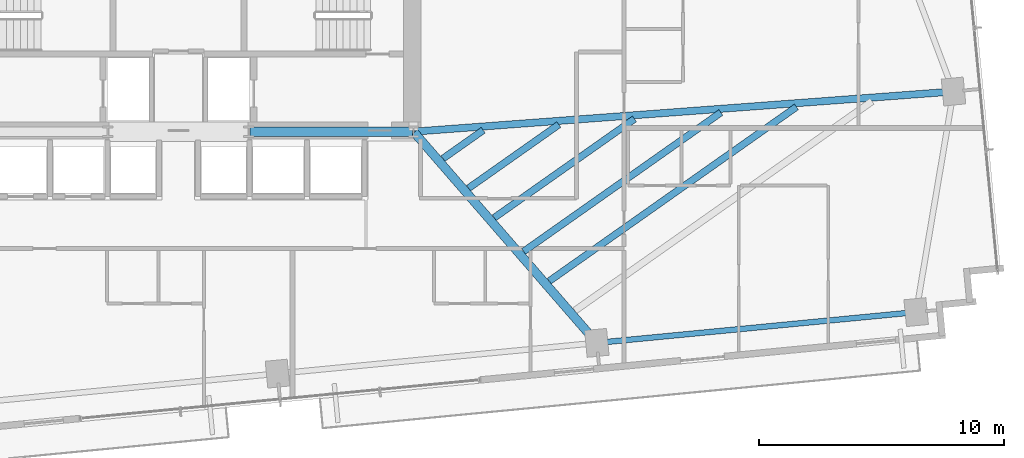
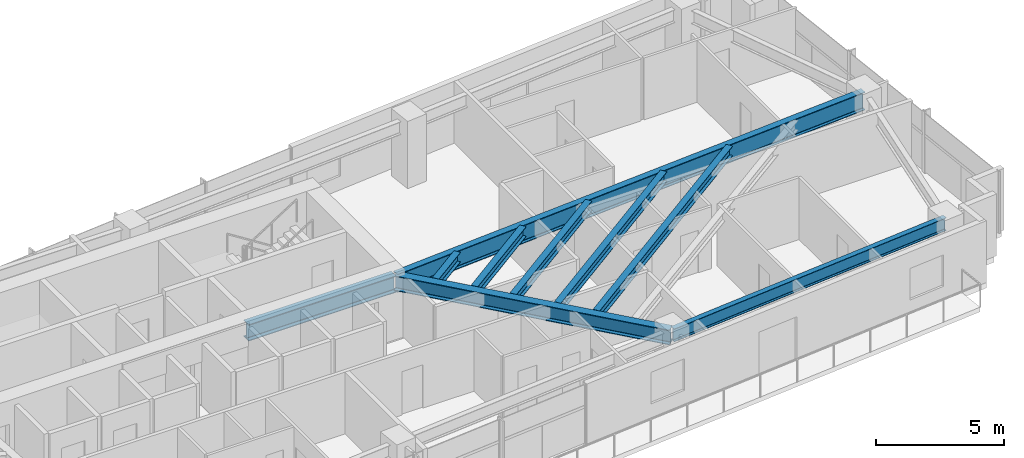
# One storey, part 13 of 27: 9 beams.
"""IFC4 building model written with IfcOpenShell, lengths in metres."""

from ifc_helpers import new_model, si_unit, direction, frame, origin, origin_2d, place, context, subcontext, project, spatial, i_section, extrude, source, transform, mapped, material, material_profile, profile_set, type_object, type_shapes, element, save


model = new_model("IFC4")

# Units and contexts
model_context = context("Model", 3, precision=1e-05, world=origin(), true_north=direction((0.0, 1.0)))
body_context = subcontext(model_context, "Body", "Model", "MODEL_VIEW")
ifc_project = project(units=[si_unit("LENGTHUNIT", "METRE"), si_unit("AREAUNIT", "SQUARE_METRE"), si_unit("VOLUMEUNIT", "CUBIC_METRE"), si_unit("PLANEANGLEUNIT", "RADIAN"), si_unit("MASSUNIT", "GRAM", prefix="KILO")], contexts=[model_context])

# Site, building, storey
site_placement = place(None, origin())
site = spatial("IfcSite", under=ifc_project, at=site_placement, CompositionType="ELEMENT")
building_placement = place(site_placement, origin())
building = spatial("IfcBuilding", under=site, at=building_placement, Name="Astriad Promenade Condominiums", CompositionType="ELEMENT")
storey_placement = place(building_placement, frame((0.0, 0.0, 93.800048828125)))
storey = spatial("IfcBuildingStorey", under=building, at=storey_placement, Name="L26", CompositionType="ELEMENT", Elevation=93.800048828125)

# Beams
ifc_material = material(Name="Steel ASTM A992 Grade 50", Category="steel")
ifc_material_profile_1 = material_profile(ifc_material, i_section(OverallWidth=0.3837890625, OverallDepth=0.785888671875, WebThickness=0.019775390625, FlangeThickness=0.033447265625, FilletRadius=0.021484375, at=origin_2d()), Name="W30X211")
ifc_profile_set_1 = profile_set([ifc_material_profile_1], Name="Steel ASTM A992 Grade 50")
beam_type_1 = type_object("IfcBeamType", Name="STEEL FLOOR GIRDER W30X211", PredefinedType="BEAM", material=ifc_profile_set_1)
shared_shape_1 = source(origin(), body_context, "Body", "SweptSolid", [
    extrude(i_section(OverallWidth=0.3837890625, OverallDepth=0.785888671875, WebThickness=0.019775390625, FlangeThickness=0.033447265625, FilletRadius=0.021484375, at=origin_2d()), origin(), (0.0, 0.0, 1.0), 6.64013671875),
])
type_shapes(beam_type_1, [shared_shape_1])
beam_1_placement = place(storey_placement, frame((38.919921875, 17.39990234375, 2.546875), z_axis=(1.0, 0.0, 0.0), x_axis=(0.0, 1.0, 0.0)))
element("IfcBeam", 1, at=beam_1_placement, inside=storey, type_object=beam_type_1, Name="Core Ring Beam CG-S3-L26", PredefinedType="BEAM", context=body_context, shape_type="MappedRepresentation", body=[
    mapped(shared_shape_1, transform((0.0, 0.0, 0.0), scale=1.0)),
])
ifc_material_profile_2 = material_profile(ifc_material, i_section(OverallWidth=0.22900390625, OverallDepth=0.612060546875, WebThickness=0.011962890625, FlangeThickness=0.01953125, FilletRadius=0.017822265625, at=origin_2d()), Name="W24X84")
ifc_profile_set_2 = profile_set([ifc_material_profile_2], Name="Steel ASTM A992 Grade 50")
beam_type_2 = type_object("IfcBeamType", Name="STEEL SPANDREL BEAM W24X84", PredefinedType="SPANDREL", material=ifc_profile_set_2)
shared_shape_2 = source(origin(), body_context, "Body", "SweptSolid", [
    extrude(i_section(OverallWidth=0.22900390625, OverallDepth=0.612060546875, WebThickness=0.011962890625, FlangeThickness=0.01953125, FilletRadius=0.017822265625, at=origin_2d()), origin(), (0.0, 0.0, 1.0), 13.020263671875),
])
type_shapes(beam_type_2, [shared_shape_2])
beam_2_placement = place(storey_placement, frame((53.124755859375, 8.780029296875, 2.6337890625), z_axis=(0.995395311238, 0.095854965264, 0.0), x_axis=(-0.095854965264, 0.995395311238, 0.0)))
element("IfcBeam", 2, at=beam_2_placement, inside=storey, type_object=beam_type_2, Name="Perimeter Spandrel Beam SP-S4-L26", PredefinedType="SPANDREL", context=body_context, shape_type="MappedRepresentation", body=[
    mapped(shared_shape_2, transform((0.0, 0.0, 0.0), scale=1.0)),
])
ifc_material_profile_3 = material_profile(ifc_material, i_section(OverallWidth=0.35791015625, OverallDepth=0.706298828125, WebThickness=0.018310546875, FlangeThickness=0.0302734375, FilletRadius=0.020263671875, at=origin_2d()), Name="W27X178")
ifc_profile_set_3 = profile_set([ifc_material_profile_3], Name="Steel ASTM A992 Grade 50")
beam_type_3 = type_object("IfcBeamType", Name="STEEL FLOOR GIRDER W27X178", PredefinedType="BEAM", material=ifc_profile_set_3)
shared_shape_3 = source(origin(), body_context, "Body", "SweptSolid", [
    extrude(i_section(OverallWidth=0.35791015625, OverallDepth=0.706298828125, WebThickness=0.018310546875, FlangeThickness=0.0302734375, FilletRadius=0.020263671875, at=origin_2d()), origin(), (0.0, 0.0, 1.0), 11.339111328125),
])
type_shapes(beam_type_3, [shared_shape_3])
beam_3_placement = place(storey_placement, frame((53.058837890625, 8.806396484375, 2.586669921875), z_axis=(-0.65548120109, 0.755211490258, 0.0), x_axis=(-0.755211490258, -0.65548120109, 0.0)))
element("IfcBeam", 3, at=beam_3_placement, inside=storey, type_object=beam_type_3, Name="Primary Floor Girder PG-E2-L26", PredefinedType="BEAM", context=body_context, shape_type="MappedRepresentation", body=[
    mapped(shared_shape_3, transform((0.0, 0.0, 0.0), scale=1.0)),
])
ifc_material_profile_4 = material_profile(ifc_material, i_section(OverallWidth=0.2919921875, OverallDepth=0.85888671875, WebThickness=0.01708984375, FlangeThickness=0.031005859375, FilletRadius=0.02294921875, at=origin_2d()), Name="W33X169")
ifc_profile_set_4 = profile_set([ifc_material_profile_4], Name="Steel ASTM A992 Grade 50")
beam_type_4 = type_object("IfcBeamType", Name="STEEL PRIMARY GIRDER W33X169", PredefinedType="BEAM", material=ifc_profile_set_4)
shared_shape_4 = source(origin(), body_context, "Body", "SweptSolid", [
    extrude(i_section(OverallWidth=0.2919921875, OverallDepth=0.85888671875, WebThickness=0.01708984375, FlangeThickness=0.031005859375, FilletRadius=0.02294921875, at=origin_2d()), origin(), (0.0, 0.0, 1.0), 22.029052734375),
])
type_shapes(beam_type_4, [shared_shape_4])
beam_4_placement = place(storey_placement, frame((67.6083984375, 19.036376953125, 2.510498046875), z_axis=(-0.99724763887, -0.074142745897, 0.0), x_axis=(0.074142745897, -0.99724763887, 0.0)))
element("IfcBeam", 4, at=beam_4_placement, inside=storey, type_object=beam_type_4, Name="Primary Floor Girder PG-EM-L26", PredefinedType="BEAM", context=body_context, shape_type="MappedRepresentation", body=[
    mapped(shared_shape_4, transform((0.0, 0.0, 0.0), scale=1.0)),
])
ifc_material_profile_5 = material_profile(ifc_material, i_section(OverallWidth=0.283203125, OverallDepth=0.47216796875, WebThickness=0.013671875, FlangeThickness=0.022216796875, FilletRadius=0.01513671875, at=origin_2d()), Name="W18X97")
ifc_profile_set_5 = profile_set([ifc_material_profile_5], Name="Steel ASTM A992 Grade 50")
beam_type_5 = type_object("IfcBeamType", Name="STEEL FLOOR JOIST W18X97", PredefinedType="JOIST", material=ifc_profile_set_5)
shared_shape_5 = source(origin(), body_context, "Body", "SweptSolid", [
    extrude(i_section(OverallWidth=0.283203125, OverallDepth=0.47216796875, WebThickness=0.013671875, FlangeThickness=0.022216796875, FilletRadius=0.01513671875, at=origin_2d()), origin(), (0.0, 0.0, 1.0), 12.34375),
])
beam_5_placement = place(storey_placement, frame((51.144287109375, 11.30029296875, 2.703857421875), z_axis=(0.817418723738, 0.576043948048, 0.0), x_axis=(-0.576043948048, 0.817418723738, 0.0)))
element("IfcBeam", 5, at=beam_5_placement, inside=storey, type_object=beam_type_5, Name="Secondary Composite Floor Joist JE1-2-L26", PredefinedType="JOIST", context=body_context, shape_type="MappedRepresentation", body=[
    mapped(shared_shape_5, transform((0.0, 0.0, 0.0), scale=1.0)),
])
shared_shape_6 = source(origin(), body_context, "Body", "SweptSolid", [
    extrude(i_section(OverallWidth=0.283203125, OverallDepth=0.47216796875, WebThickness=0.013671875, FlangeThickness=0.022216796875, FilletRadius=0.01513671875, at=origin_2d()), origin(), (0.0, 0.0, 1.0), 9.849609375),
])
beam_6_placement = place(storey_placement, frame((50.096435546875, 12.507568359375, 2.703857421875), z_axis=(0.817418240833, 0.5760446333, 0.0), x_axis=(-0.5760446333, 0.817418240833, 0.0)))
element("IfcBeam", 6, at=beam_6_placement, inside=storey, type_object=beam_type_5, Name="Secondary Composite Floor Joist JE1-3-L26", PredefinedType="JOIST", context=body_context, shape_type="MappedRepresentation", body=[
    mapped(shared_shape_6, transform((0.0, 0.0, 0.0), scale=1.0)),
])
shared_shape_7 = source(origin(), body_context, "Body", "SweptSolid", [
    extrude(i_section(OverallWidth=0.283203125, OverallDepth=0.47216796875, WebThickness=0.013671875, FlangeThickness=0.022216796875, FilletRadius=0.01513671875, at=origin_2d()), origin(), (0.0, 0.0, 1.0), 6.9990234375),
])
beam_7_placement = place(storey_placement, frame((48.898681640625, 13.88720703125, 2.703857421875), z_axis=(0.81742196028, 0.576039355298, 0.0), x_axis=(-0.576039355298, 0.81742196028, 0.0)))
element("IfcBeam", 7, at=beam_7_placement, inside=storey, type_object=beam_type_5, Name="Secondary Composite Floor Joist JE1-4-L26", PredefinedType="JOIST", context=body_context, shape_type="MappedRepresentation", body=[
    mapped(shared_shape_7, transform((0.0, 0.0, 0.0), scale=1.0)),
])
shared_shape_8 = source(origin(), body_context, "Body", "SweptSolid", [
    extrude(i_section(OverallWidth=0.283203125, OverallDepth=0.47216796875, WebThickness=0.013671875, FlangeThickness=0.022216796875, FilletRadius=0.01513671875, at=origin_2d()), origin(), (0.0, 0.0, 1.0), 4.504638671875),
])
beam_8_placement = place(storey_placement, frame((47.850830078125, 15.0947265625, 2.703857421875), z_axis=(0.817448215019, 0.576002097012, 0.0), x_axis=(-0.576002097012, 0.817448215019, 0.0)))
element("IfcBeam", 8, at=beam_8_placement, inside=storey, type_object=beam_type_5, Name="Secondary Composite Floor Joist JE1-5-L26", PredefinedType="JOIST", context=body_context, shape_type="MappedRepresentation", body=[
    mapped(shared_shape_8, transform((0.0, 0.0, 0.0), scale=1.0)),
])
shared_shape_9 = source(origin(), body_context, "Body", "SweptSolid", [
    extrude(i_section(OverallWidth=0.283203125, OverallDepth=0.47216796875, WebThickness=0.013671875, FlangeThickness=0.022216796875, FilletRadius=0.01513671875, at=origin_2d()), origin(), (0.0, 0.0, 1.0), 2.01025390625),
])
type_shapes(beam_type_5, [shared_shape_5, shared_shape_6, shared_shape_7, shared_shape_8, shared_shape_9])
beam_9_placement = place(storey_placement, frame((46.802978515625, 16.302001953125, 2.703857421875), z_axis=(0.8174421453, 0.576010710913, 0.0), x_axis=(-0.576010710913, 0.8174421453, 0.0)))
element("IfcBeam", 9, at=beam_9_placement, inside=storey, type_object=beam_type_5, Name="Secondary Composite Floor Joist JE1-6-L26", PredefinedType="JOIST", context=body_context, shape_type="MappedRepresentation", body=[
    mapped(shared_shape_9, transform((0.0, 0.0, 0.0), scale=1.0)),
])

save(model, "model.ifc")
